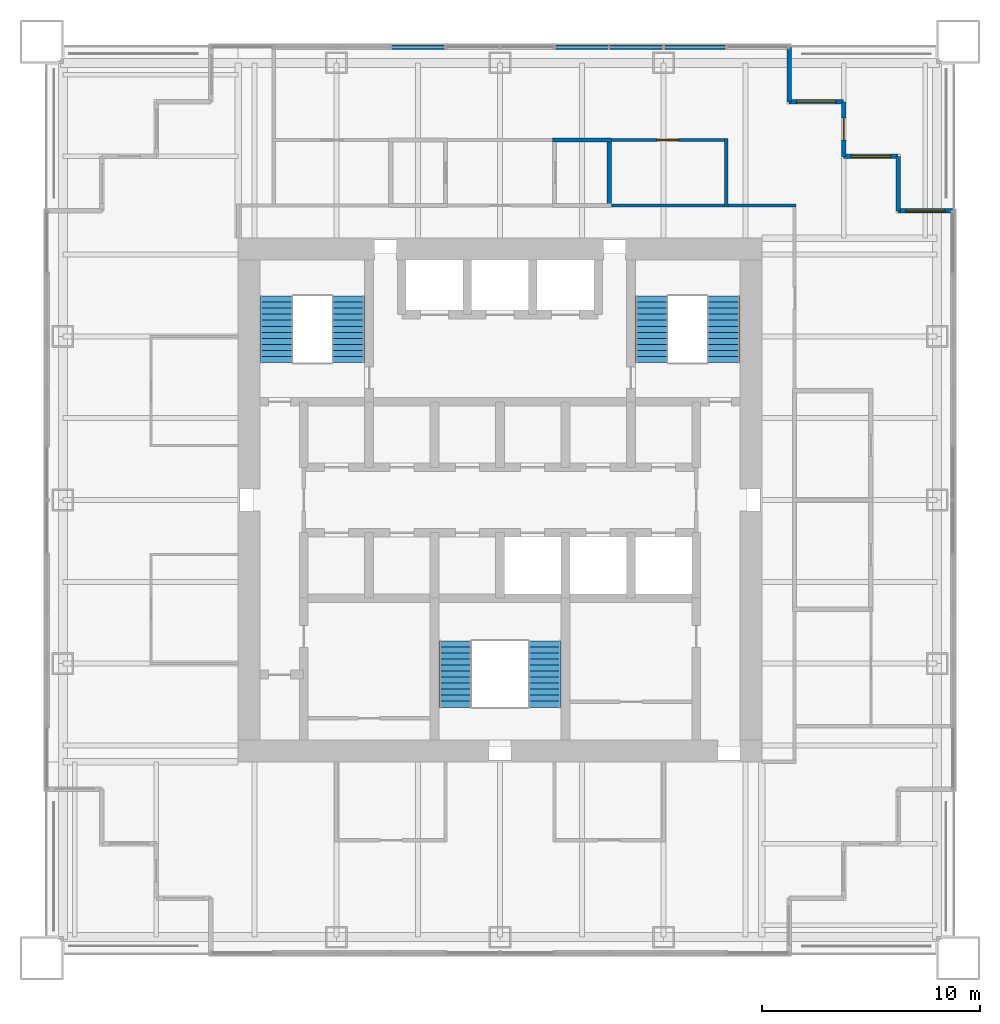
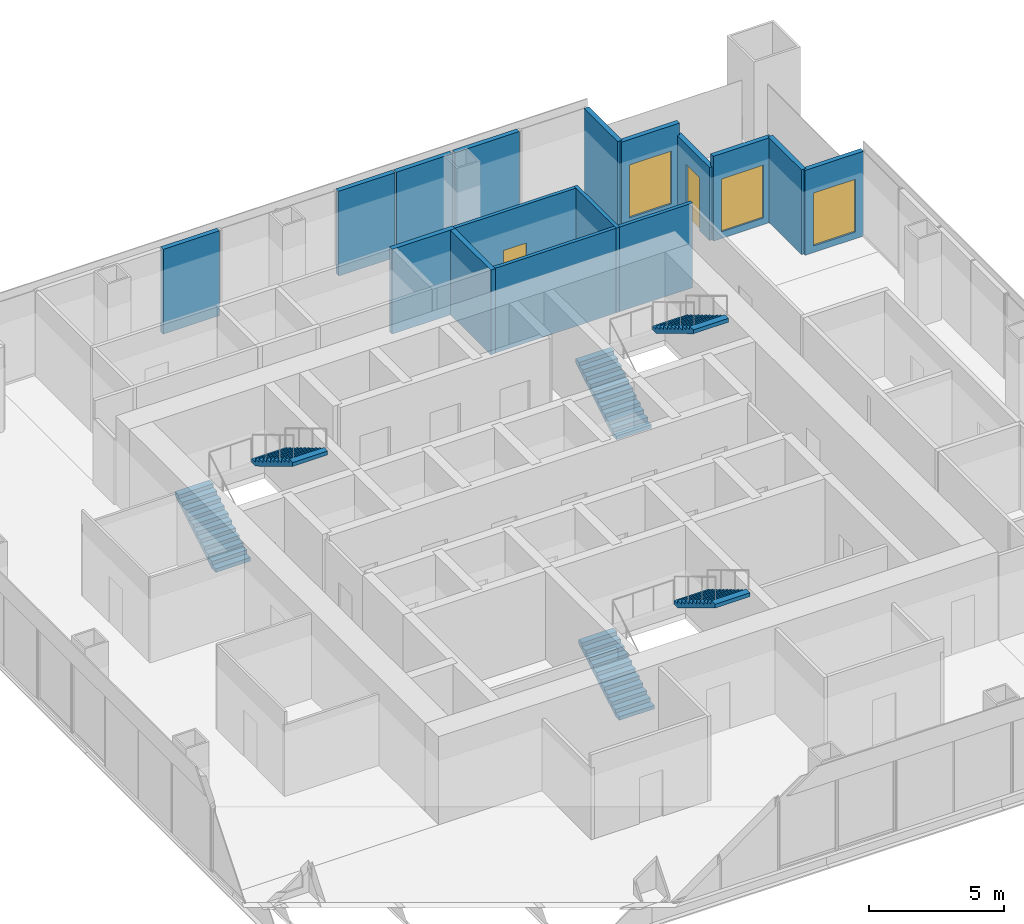
# One storey, part 12 of 14: 15 walls, 6 stair flights, 3 windows, 2 doors, 5 openings, 3 elements without a shape of their own.
"""IFC4 building model written with IfcOpenShell, lengths in metres."""

from ifc_helpers import new_model, si_unit, direction, frame, frame_2d, origin, place, context, subcontext, project, spatial, polyline, rectangle, outline, extrude, material, layer, layer_set, type_object, element, fill, aggregate, save


model = new_model("IFC4")

# Units and contexts
model_context = context("Model", 3, precision=1e-05, world=origin(), true_north=direction((0.0, 1.0)))
body_context = subcontext(model_context, "Body", "Model", "MODEL_VIEW")
ifc_project = project(units=[si_unit("LENGTHUNIT", "METRE"), si_unit("AREAUNIT", "SQUARE_METRE"), si_unit("VOLUMEUNIT", "CUBIC_METRE"), si_unit("PLANEANGLEUNIT", "RADIAN"), si_unit("MASSUNIT", "GRAM", prefix="KILO")], contexts=[model_context])

# Site, building, storey
site_placement = place(None, origin())
site = spatial("IfcSite", under=ifc_project, at=site_placement, CompositionType="ELEMENT")
building_placement = place(site_placement, origin())
building = spatial("IfcBuilding", under=site, at=building_placement, Name="Tarangal Relay Tower", CompositionType="ELEMENT")
storey_placement = place(building_placement, frame((0.0, 0.0, 319.89990234375)))
storey = spatial("IfcBuildingStorey", under=building, at=storey_placement, Name="L71", CompositionType="ELEMENT", Elevation=319.89990234375)

# Walls
ifc_material_1 = material(Name="Two layers gypsum board each side on twin steel studs, mineral wool", Category="steel")
ifc_layer_1 = layer(ifc_material_1, 0.199951171875)
ifc_layer_set_1 = layer_set([ifc_layer_1], Name="Acoustic partition 200")
wall_type_1 = type_object("IfcWallType", Name="Acoustic partition 200", PredefinedType="PARTITIONING", material=ifc_layer_set_1)
wall_1_placement = place(storey_placement, frame((2.39990234375, 16.5, 0.0), z_axis=(0.0, 0.0, 1.0), x_axis=(1.0, 0.0, 0.0)))
element("IfcWall", 1, at=wall_1_placement, inside=storey, type_object=wall_type_1, Name="Partition PT2 L71", PredefinedType="PARTITIONING", context=body_context, shape_type="SweptSolid", body=[
    extrude(rectangle(XDim=2.7001953125, YDim=0.199951171875, at=frame_2d((1.35009765625, 0.0))), origin(), (0.0, 0.0, 1.0), 3.85009765625),
])
wall_2_placement = place(storey_placement, frame((5.0, 13.39990234375, 0.0), z_axis=(0.0, 0.0, 1.0), x_axis=(0.0, 1.0, 0.0)))
element("IfcWall", 2, at=wall_2_placement, inside=storey, type_object=wall_type_1, Name="Partition PT2 L71", PredefinedType="PARTITIONING", context=body_context, shape_type="SweptSolid", body=[
    extrude(rectangle(XDim=3.2001953125, YDim=0.199951171875, at=frame_2d((1.60009765625, 0.0))), origin(), (0.0, 0.0, 1.0), 3.85009765625),
])
ifc_material_2 = material(Name="Black metal clad insulated wall", Category="steel")
ifc_layer_2 = layer(ifc_material_2, 0.199951171875)
ifc_layer_set_2 = layer_set([ifc_layer_2], Name="Corner wall metal clad 200")
wall_type_2 = type_object("IfcWallType", Name="Corner wall metal clad 200", PredefinedType="SOLIDWALL", material=ifc_layer_set_2)
wall_3_placement = place(storey_placement, frame((13.25, 20.75, 0.0), z_axis=(0.0, 0.0, 1.0), x_axis=(0.0, -1.0, 0.0)))
element("IfcWall", 3, at=wall_3_placement, inside=storey, type_object=wall_type_2, Name="Facade wall N facade L71", PredefinedType="SOLIDWALL", context=body_context, shape_type="SweptSolid", body=[
    extrude(rectangle(XDim=2.5, YDim=0.199951171875, at=frame_2d((1.25, 0.0))), origin(), (0.0, 0.0, 1.0), 3.85009765625),
])

# Wall, opening, window
wall_4_placement = place(storey_placement, frame((13.25, 18.25, 0.0), z_axis=(0.0, 0.0, 1.0), x_axis=(1.0, 0.0, 0.0)))
wall_4 = element("IfcWall", 4, at=wall_4_placement, inside=storey, type_object=wall_type_2, Name="Facade wall N facade L71", PredefinedType="SOLIDWALL", context=body_context, shape_type="SweptSolid", body=[
    extrude(rectangle(XDim=2.5, YDim=0.199951171875, at=frame_2d((1.25, 0.0))), origin(), (0.0, 0.0, 1.0), 3.85009765625),
])
opening_1_placement = place(wall_4_placement, frame((0.35009765625, 0.0, 0.300048828125)))
opening_1 = element("IfcOpeningElement", 5, at=opening_1_placement, cuts=wall_4, Name="Opening WN2", PredefinedType="OPENING", context=body_context, shape_type="SweptSolid", body=[
    extrude(rectangle(XDim=1.800048828125, YDim=2.39990234375, at=frame_2d((0.89990234375, 1.199951171875))), frame((0.0, 0.10986328125, 0.0), z_axis=(0.0, -1.0, 0.0), x_axis=(1.0, 0.0, 0.0)), (0.0, 0.0, 1.0), 0.219970703125),
])
ifc_material_3 = material(Name="Dark tinted double glazing in black aluminium frame", Category="aluminium")
window_type = type_object("IfcWindowType", Name="Corner window 1800 x 2400", PartitioningType="SINGLE_PANEL", PredefinedType="WINDOW", material=ifc_material_3)
window_1_placement = place(opening_1_placement, origin())
window_1 = element("IfcWindow", 6, at=window_1_placement, inside=storey, type_object=window_type, Name="Corner window WN2 N facade L71", OverallHeight=2.39990234375, OverallWidth=1.800048828125, PartitioningType="SINGLE_PANEL", PredefinedType="WINDOW", context=body_context, shape_type="SweptSolid", body=[
    extrude(rectangle(XDim=1.800048828125, YDim=2.39990234375, at=frame_2d((0.89990234375, 1.199951171875))), frame((0.0, 0.030029296875, 0.0), z_axis=(0.0, -1.0, 0.0), x_axis=(1.0, 0.0, 0.0)), (0.0, 0.0, 1.0), 0.06005859375),
])
fill(opening_1, window_1)

# Wall, opening, door
wall_5_placement = place(storey_placement, frame((15.75, 18.25, 0.0), z_axis=(0.0, 0.0, 1.0), x_axis=(0.0, -1.0, 0.0)))
wall_5 = element("IfcWall", 7, at=wall_5_placement, inside=storey, type_object=wall_type_2, Name="Facade wall N facade L71", PredefinedType="SOLIDWALL", context=body_context, shape_type="SweptSolid", body=[
    extrude(rectangle(XDim=2.5, YDim=0.199951171875, at=frame_2d((1.25, 0.0))), origin(), (0.0, 0.0, 1.0), 3.316650390625),
])
opening_2_placement = place(wall_5_placement, frame((0.75, 0.0, 0.0)))
opening_2 = element("IfcOpeningElement", 8, at=opening_2_placement, cuts=wall_5, Name="Opening TD1", PredefinedType="OPENING", context=body_context, shape_type="SweptSolid", body=[
    extrude(rectangle(XDim=1.0, YDim=2.39990234375, at=frame_2d((0.5, 1.199951171875))), frame((0.0, 0.10986328125, 0.0), z_axis=(0.0, -1.0, 0.0), x_axis=(1.0, 0.0, 0.0)), (0.0, 0.0, 1.0), 0.219970703125),
])
ifc_material_4 = material(Name="Aluminium glazed door", Category="aluminium")
door_type_1 = type_object("IfcDoorType", Name="Terrace door 1000 x 2400", OperationType="SINGLE_SWING_RIGHT", PredefinedType="DOOR", material=ifc_material_4)
door_1_placement = place(opening_2_placement, origin())
door_1 = element("IfcDoor", 9, at=door_1_placement, inside=storey, type_object=door_type_1, Name="Terrace door TD1 NE L71", OperationType="SINGLE_SWING_RIGHT", OverallHeight=2.39990234375, OverallWidth=1.0, PredefinedType="DOOR", context=body_context, shape_type="SweptSolid", body=[
    extrude(rectangle(XDim=1.0, YDim=2.39990234375, at=frame_2d((0.5, 1.199951171875))), frame((0.0, 0.02490234375, 0.0), z_axis=(0.0, -1.0, 0.0), x_axis=(1.0, 0.0, 0.0)), (0.0, 0.0, 1.0), 0.050048828125),
])
fill(opening_2, door_1)

# Wall, opening, window
wall_6_placement = place(storey_placement, frame((15.75, 15.75, 0.0), z_axis=(0.0, 0.0, 1.0), x_axis=(1.0, 0.0, 0.0)))
wall_6 = element("IfcWall", 10, at=wall_6_placement, inside=storey, type_object=wall_type_2, Name="Facade wall N facade L71", PredefinedType="SOLIDWALL", context=body_context, shape_type="SweptSolid", body=[
    extrude(rectangle(XDim=2.5, YDim=0.199951171875, at=frame_2d((1.25, 0.0))), origin(), (0.0, 0.0, 1.0), 3.85009765625),
])
opening_3_placement = place(wall_6_placement, frame((0.35009765625, 0.0, 0.300048828125)))
opening_3 = element("IfcOpeningElement", 11, at=opening_3_placement, cuts=wall_6, Name="Opening WN2", PredefinedType="OPENING", context=body_context, shape_type="SweptSolid", body=[
    extrude(rectangle(XDim=1.800048828125, YDim=2.39990234375, at=frame_2d((0.89990234375, 1.199951171875))), frame((0.0, 0.10986328125, 0.0), z_axis=(0.0, -1.0, 0.0), x_axis=(1.0, 0.0, 0.0)), (0.0, 0.0, 1.0), 0.219970703125),
])
window_2_placement = place(opening_3_placement, origin())
window_2 = element("IfcWindow", 12, at=window_2_placement, inside=storey, type_object=window_type, Name="Corner window WN2 N facade L71", OverallHeight=2.39990234375, OverallWidth=1.800048828125, PartitioningType="SINGLE_PANEL", PredefinedType="WINDOW", context=body_context, shape_type="SweptSolid", body=[
    extrude(rectangle(XDim=1.800048828125, YDim=2.39990234375, at=frame_2d((0.89990234375, 1.199951171875))), frame((0.0, 0.030029296875, 0.0), z_axis=(0.0, -1.0, 0.0), x_axis=(1.0, 0.0, 0.0)), (0.0, 0.0, 1.0), 0.06005859375),
])
fill(opening_3, window_2)

# Wall
wall_7_placement = place(storey_placement, frame((18.25, 15.75, 0.0), z_axis=(0.0, 0.0, 1.0), x_axis=(0.0, -1.0, 0.0)))
element("IfcWall", 13, at=wall_7_placement, inside=storey, type_object=wall_type_2, Name="Facade wall N facade L71", PredefinedType="SOLIDWALL", context=body_context, shape_type="SweptSolid", body=[
    extrude(rectangle(XDim=2.5, YDim=0.199951171875, at=frame_2d((1.25, 0.0))), origin(), (0.0, 0.0, 1.0), 3.85009765625),
])

# Wall, opening, window
wall_8_placement = place(storey_placement, frame((18.25, 13.25, 0.0), z_axis=(0.0, 0.0, 1.0), x_axis=(1.0, 0.0, 0.0)))
wall_8 = element("IfcWall", 14, at=wall_8_placement, inside=storey, type_object=wall_type_2, Name="Facade wall N facade L71", PredefinedType="SOLIDWALL", context=body_context, shape_type="SweptSolid", body=[
    extrude(rectangle(XDim=2.5, YDim=0.199951171875, at=frame_2d((1.25, 0.0))), origin(), (0.0, 0.0, 1.0), 3.85009765625),
])
opening_4_placement = place(wall_8_placement, frame((0.35009765625, 0.0, 0.300048828125)))
opening_4 = element("IfcOpeningElement", 15, at=opening_4_placement, cuts=wall_8, Name="Opening WN2", PredefinedType="OPENING", context=body_context, shape_type="SweptSolid", body=[
    extrude(rectangle(XDim=1.800048828125, YDim=2.39990234375, at=frame_2d((0.89990234375, 1.199951171875))), frame((0.0, 0.10986328125, 0.0), z_axis=(0.0, -1.0, 0.0), x_axis=(1.0, 0.0, 0.0)), (0.0, 0.0, 1.0), 0.219970703125),
])
window_3_placement = place(opening_4_placement, origin())
window_3 = element("IfcWindow", 16, at=window_3_placement, inside=storey, type_object=window_type, Name="Corner window WN2 N facade L71", OverallHeight=2.39990234375, OverallWidth=1.800048828125, PartitioningType="SINGLE_PANEL", PredefinedType="WINDOW", context=body_context, shape_type="SweptSolid", body=[
    extrude(rectangle(XDim=1.800048828125, YDim=2.39990234375, at=frame_2d((0.89990234375, 1.199951171875))), frame((0.0, 0.030029296875, 0.0), z_axis=(0.0, -1.0, 0.0), x_axis=(1.0, 0.0, 0.0)), (0.0, 0.0, 1.0), 0.06005859375),
])
fill(opening_4, window_3)

# Walls
ifc_layer_3 = layer(ifc_material_2, 0.199951171875)
ifc_layer_set_3 = layer_set([ifc_layer_3], Name="Facade infill wall metal clad 200")
wall_type_3 = type_object("IfcWallType", Name="Facade infill wall metal clad 200", PredefinedType="SOLIDWALL", material=ifc_layer_set_3)
for number, where, z_axis, x_axis, name in (
    (17, (-4.969970703125, 20.75, 0.0), (0.0, 0.0, 1.0), (1.0, 0.0, 0.0), "Facade infill wall N facade L71 2.1"),
    (18, (2.56005859375, 20.75, 0.0), (0.0, 0.0, 1.0), (1.0, 0.0, 0.0), "Facade infill wall N facade L71 1.1"),
    (19, (5.030029296875, 20.75, 0.0), (0.0, 0.0, 1.0), (1.0, 0.0, 0.0), "Facade infill wall N facade L71 2.1"),
):
    element("IfcWall", number, at=place(storey_placement, frame(where, z_axis=z_axis, x_axis=x_axis)), inside=storey, type_object=wall_type_3, Name=name, PredefinedType="SOLIDWALL", context=body_context, shape_type="SweptSolid", body=[
        extrude(rectangle(XDim=2.409912109375, YDim=0.199951171875, at=frame_2d((1.205078125, 0.0))), origin(), (0.0, 0.0, 1.0), 3.85009765625),
    ])
wall_9_placement = place(storey_placement, frame((7.56005859375, 20.75, 0.0), z_axis=(0.0, 0.0, 1.0), x_axis=(1.0, 0.0, 0.0)))
element("IfcWall", 20, at=wall_9_placement, inside=storey, type_object=wall_type_3, Name="Facade infill wall N facade L71 1.1", PredefinedType="SOLIDWALL", context=body_context, shape_type="SweptSolid", body=[
    extrude(rectangle(XDim=2.7548828125, YDim=0.199951171875, at=frame_2d((1.37744140625, 0.0))), origin(), (0.0, 0.0, 1.0), 3.85009765625),
])
ifc_material_5 = material(Name="Gypsum board on steel studs", Category="steel")
ifc_layer_4 = layer(ifc_material_5, 0.14990234375)
ifc_layer_set_4 = layer_set([ifc_layer_4], Name="Partition 150")
wall_type_4 = type_object("IfcWallType", Name="Partition 150", PredefinedType="PARTITIONING", material=ifc_layer_set_4)
wall_10_placement = place(storey_placement, frame((4.925048828125, 13.5, 0.0), z_axis=(0.0, 0.0, 1.0), x_axis=(1.0, 0.0, 0.0)))
element("IfcWall", 21, at=wall_10_placement, inside=storey, type_object=wall_type_4, Name="Partition PT1 L71", PredefinedType="PARTITIONING", context=body_context, shape_type="SweptSolid", body=[
    extrude(rectangle(XDim=8.64990234375, YDim=0.14990234375, at=frame_2d((4.324951171875, 0.0))), origin(), (0.0, 0.0, 1.0), 3.85009765625),
])

# Wall, opening, door
wall_11_placement = place(storey_placement, frame((4.925048828125, 16.5, 0.0), z_axis=(0.0, 0.0, 1.0), x_axis=(1.0, 0.0, 0.0)))
wall_11 = element("IfcWall", 22, at=wall_11_placement, inside=storey, type_object=wall_type_4, Name="Partition PT1 L71", PredefinedType="PARTITIONING", context=body_context, shape_type="SweptSolid", body=[
    extrude(rectangle(XDim=5.52490234375, YDim=0.14990234375, at=frame_2d((2.762451171875, 0.0))), origin(), (0.0, 0.0, 1.0), 3.85009765625),
])
opening_5_placement = place(wall_11_placement, frame((2.262451171875, 0.0, 0.0)))
opening_5 = element("IfcOpeningElement", 23, at=opening_5_placement, cuts=wall_11, Name="Opening D2", PredefinedType="OPENING", context=body_context, shape_type="SweptSolid", body=[
    extrude(rectangle(XDim=1.0, YDim=2.10009765625, at=frame_2d((0.5, 1.050048828125))), frame((0.0, 0.0849609375, 0.0), z_axis=(0.0, -1.0, 0.0), x_axis=(1.0, 0.0, 0.0)), (0.0, 0.0, 1.0), 0.169921875),
])
ifc_material_6 = material(Name="Hardwood door", Category="wood")
door_type_2 = type_object("IfcDoorType", Name="Door 1000 x 2100", OperationType="SINGLE_SWING_LEFT", PredefinedType="DOOR", material=ifc_material_6)
door_2_placement = place(opening_5_placement, origin())
door_2 = element("IfcDoor", 24, at=door_2_placement, inside=storey, type_object=door_type_2, Name="Door D2 to executive office L71-06", OperationType="SINGLE_SWING_LEFT", OverallHeight=2.10009765625, OverallWidth=1.0, PredefinedType="DOOR", context=body_context, shape_type="SweptSolid", body=[
    extrude(rectangle(XDim=1.0, YDim=2.10009765625, at=frame_2d((0.5, 1.050048828125))), frame((0.0, 0.02490234375, 0.0), z_axis=(0.0, -1.0, 0.0), x_axis=(1.0, 0.0, 0.0)), (0.0, 0.0, 1.0), 0.050048828125),
])
fill(opening_5, door_2)

# Wall
wall_12_placement = place(storey_placement, frame((10.375, 13.425048828125, 0.0), z_axis=(0.0, 0.0, 1.0), x_axis=(0.0, 1.0, 0.0)))
element("IfcWall", 25, at=wall_12_placement, inside=storey, type_object=wall_type_4, Name="Partition PT1 L71", PredefinedType="PARTITIONING", context=body_context, shape_type="SweptSolid", body=[
    extrude(rectangle(XDim=3.14990234375, YDim=0.14990234375, at=frame_2d((1.574951171875, 0.0))), origin(), (0.0, 0.0, 1.0), 3.85009765625),
])

# Stair, stair flights
ifc_material_7 = material(Name="Steel ASTM A992 stair flight", Category="steel")
stair_type = type_object("IfcStairType", Name="Core stair 1500", PredefinedType="HALF_TURN_STAIR", material=ifc_material_7)
stair_1_placement = place(storey_placement, origin())
stair_1 = element("IfcStair", 26, at=stair_1_placement, inside=storey, type_object=stair_type, Name="Stair ST-A L71", PredefinedType="HALF_TURN_STAIR")
stair_flight_type = type_object("IfcStairFlightType", Name="Steel stair flight 1500, 12 risers 167 x 277", PredefinedType="STRAIGHT", material=ifc_material_7)
stair_flight_1_placement = place(storey_placement, frame((-10.25, 6.300048828125, 0.0), z_axis=(0.0, 0.0, 1.0), x_axis=(0.0, 1.0, 0.0)))
stair_flight_1 = element("IfcStairFlight", 27, at=stair_flight_1_placement, type_object=stair_flight_type, Name="ST-A flight 1", NumberOfRisers=12, NumberOfTreads=11, PredefinedType="STRAIGHT", RiserHeight=0.166666667, TreadLength=0.277, context=body_context, shape_type="SweptSolid", body=[
    extrude(outline(polyline([(0.0, 0.0), (0.0, 0.166748046875), (0.277099609375, 0.166748046875), (0.277099609375, 0.333251953125), (0.553955078125, 0.333251953125), (0.553955078125, 0.5), (0.8310546875, 0.5), (0.8310546875, 0.666748046875), (1.10791015625, 0.666748046875), (1.10791015625, 0.833251953125), (1.385009765625, 0.833251953125), (1.385009765625, 1.0), (1.662109375, 1.0), (1.662109375, 1.166748046875), (1.93896484375, 1.166748046875), (1.93896484375, 1.333251953125), (2.216064453125, 1.333251953125), (2.216064453125, 1.5), (2.492919921875, 1.5), (2.492919921875, 1.666748046875), (2.77001953125, 1.666748046875), (2.77001953125, 1.833251953125), (3.047119140625, 1.833251953125), (3.047119140625, 2.0), (3.047119140625, 1.658447265625), (0.290771484375, 0.0), (0.0, 0.0)])), frame((0.0, 0.75, 0.0), z_axis=(0.0, -1.0, 0.0), x_axis=(1.0, 0.0, 0.0)), (0.0, 0.0, 1.0), 1.5),
])
stair_flight_2_placement = place(storey_placement, frame((-6.949951171875, 9.346923828125, 2.0), z_axis=(0.0, 0.0, 1.0), x_axis=(0.0, -1.0, 0.0)))
stair_flight_2 = element("IfcStairFlight", 28, at=stair_flight_2_placement, type_object=stair_flight_type, Name="ST-A flight 2", NumberOfRisers=12, NumberOfTreads=11, PredefinedType="STRAIGHT", RiserHeight=0.166666667, TreadLength=0.277, context=body_context, shape_type="SweptSolid", body=[
    extrude(outline(polyline([(0.0, 0.0), (0.0, 0.166748046875), (0.277099609375, 0.166748046875), (0.277099609375, 0.333251953125), (0.553955078125, 0.333251953125), (0.553955078125, 0.5), (0.8310546875, 0.5), (0.8310546875, 0.666748046875), (1.10791015625, 0.666748046875), (1.10791015625, 0.833251953125), (1.385009765625, 0.833251953125), (1.385009765625, 1.0), (1.662109375, 1.0), (1.662109375, 1.166748046875), (1.93896484375, 1.166748046875), (1.93896484375, 1.333251953125), (2.216064453125, 1.333251953125), (2.216064453125, 1.5), (2.492919921875, 1.5), (2.492919921875, 1.666748046875), (2.77001953125, 1.666748046875), (2.77001953125, 1.833251953125), (3.047119140625, 1.833251953125), (3.047119140625, 2.0), (3.047119140625, 1.658447265625), (0.290771484375, 0.0), (0.0, 0.0)])), frame((0.0, 0.75, 0.0), z_axis=(0.0, -1.0, 0.0), x_axis=(1.0, 0.0, 0.0)), (0.0, 0.0, 1.0), 1.5),
])
aggregate(stair_1, [stair_flight_1, stair_flight_2])

stair_2_placement = place(storey_placement, origin())
stair_2 = element("IfcStair", 29, at=stair_2_placement, inside=storey, type_object=stair_type, Name="Stair ST-B L71", PredefinedType="HALF_TURN_STAIR")
stair_flight_3_placement = place(storey_placement, frame((6.949951171875, 6.300048828125, 0.0), z_axis=(0.0, 0.0, 1.0), x_axis=(0.0, 1.0, 0.0)))
stair_flight_3 = element("IfcStairFlight", 30, at=stair_flight_3_placement, type_object=stair_flight_type, Name="ST-B flight 1", NumberOfRisers=12, NumberOfTreads=11, PredefinedType="STRAIGHT", RiserHeight=0.166666667, TreadLength=0.277, context=body_context, shape_type="SweptSolid", body=[
    extrude(outline(polyline([(0.0, 0.0), (0.0, 0.166748046875), (0.277099609375, 0.166748046875), (0.277099609375, 0.333251953125), (0.553955078125, 0.333251953125), (0.553955078125, 0.5), (0.8310546875, 0.5), (0.8310546875, 0.666748046875), (1.10791015625, 0.666748046875), (1.10791015625, 0.833251953125), (1.385009765625, 0.833251953125), (1.385009765625, 1.0), (1.662109375, 1.0), (1.662109375, 1.166748046875), (1.93896484375, 1.166748046875), (1.93896484375, 1.333251953125), (2.216064453125, 1.333251953125), (2.216064453125, 1.5), (2.492919921875, 1.5), (2.492919921875, 1.666748046875), (2.77001953125, 1.666748046875), (2.77001953125, 1.833251953125), (3.047119140625, 1.833251953125), (3.047119140625, 2.0), (3.047119140625, 1.658447265625), (0.290771484375, 0.0), (0.0, 0.0)])), frame((0.0, 0.75, 0.0), z_axis=(0.0, -1.0, 0.0), x_axis=(1.0, 0.0, 0.0)), (0.0, 0.0, 1.0), 1.5),
])
stair_flight_4_placement = place(storey_placement, frame((10.25, 9.346923828125, 2.0), z_axis=(0.0, 0.0, 1.0), x_axis=(0.0, -1.0, 0.0)))
stair_flight_4 = element("IfcStairFlight", 31, at=stair_flight_4_placement, type_object=stair_flight_type, Name="ST-B flight 2", NumberOfRisers=12, NumberOfTreads=11, PredefinedType="STRAIGHT", RiserHeight=0.166666667, TreadLength=0.277, context=body_context, shape_type="SweptSolid", body=[
    extrude(outline(polyline([(0.0, 0.0), (0.0, 0.166748046875), (0.277099609375, 0.166748046875), (0.277099609375, 0.333251953125), (0.553955078125, 0.333251953125), (0.553955078125, 0.5), (0.8310546875, 0.5), (0.8310546875, 0.666748046875), (1.10791015625, 0.666748046875), (1.10791015625, 0.833251953125), (1.385009765625, 0.833251953125), (1.385009765625, 1.0), (1.662109375, 1.0), (1.662109375, 1.166748046875), (1.93896484375, 1.166748046875), (1.93896484375, 1.333251953125), (2.216064453125, 1.333251953125), (2.216064453125, 1.5), (2.492919921875, 1.5), (2.492919921875, 1.666748046875), (2.77001953125, 1.666748046875), (2.77001953125, 1.833251953125), (3.047119140625, 1.833251953125), (3.047119140625, 2.0), (3.047119140625, 1.658447265625), (0.290771484375, 0.0), (0.0, 0.0)])), frame((0.0, 0.75, 0.0), z_axis=(0.0, -1.0, 0.0), x_axis=(1.0, 0.0, 0.0)), (0.0, 0.0, 1.0), 1.5),
])
aggregate(stair_2, [stair_flight_3, stair_flight_4])

stair_3_placement = place(storey_placement, origin())
stair_3 = element("IfcStair", 32, at=stair_3_placement, inside=storey, type_object=stair_type, Name="Stair ST-C L71", PredefinedType="HALF_TURN_STAIR")
stair_flight_5_placement = place(storey_placement, frame((-2.050048828125, -9.5, 0.0), z_axis=(0.0, 0.0, 1.0), x_axis=(0.0, 1.0, 0.0)))
stair_flight_5 = element("IfcStairFlight", 33, at=stair_flight_5_placement, type_object=stair_flight_type, Name="ST-C flight 1", NumberOfRisers=12, NumberOfTreads=11, PredefinedType="STRAIGHT", RiserHeight=0.166666667, TreadLength=0.277, context=body_context, shape_type="SweptSolid", body=[
    extrude(outline(polyline([(0.0, 0.0), (0.0, 0.166748046875), (0.277099609375, 0.166748046875), (0.277099609375, 0.333251953125), (0.553955078125, 0.333251953125), (0.553955078125, 0.5), (0.8310546875, 0.5), (0.8310546875, 0.666748046875), (1.10791015625, 0.666748046875), (1.10791015625, 0.833251953125), (1.385009765625, 0.833251953125), (1.385009765625, 1.0), (1.662109375, 1.0), (1.662109375, 1.166748046875), (1.93896484375, 1.166748046875), (1.93896484375, 1.333251953125), (2.216064453125, 1.333251953125), (2.216064453125, 1.5), (2.492919921875, 1.5), (2.492919921875, 1.666748046875), (2.77001953125, 1.666748046875), (2.77001953125, 1.833251953125), (3.047119140625, 1.833251953125), (3.047119140625, 2.0), (3.047119140625, 1.658447265625), (0.290771484375, 0.0), (0.0, 0.0)])), frame((0.0, 0.75, 0.0), z_axis=(0.0, -1.0, 0.0), x_axis=(1.0, 0.0, 0.0)), (0.0, 0.0, 1.0), 1.5),
])
stair_flight_6_placement = place(storey_placement, frame((2.050048828125, -6.452880859375, 2.0), z_axis=(0.0, 0.0, 1.0), x_axis=(0.0, -1.0, 0.0)))
stair_flight_6 = element("IfcStairFlight", 34, at=stair_flight_6_placement, type_object=stair_flight_type, Name="ST-C flight 2", NumberOfRisers=12, NumberOfTreads=11, PredefinedType="STRAIGHT", RiserHeight=0.166666667, TreadLength=0.277, context=body_context, shape_type="SweptSolid", body=[
    extrude(outline(polyline([(0.0, 0.0), (0.0, 0.166748046875), (0.277099609375, 0.166748046875), (0.277099609375, 0.333251953125), (0.553955078125, 0.333251953125), (0.553955078125, 0.5), (0.8310546875, 0.5), (0.8310546875, 0.666748046875), (1.10791015625, 0.666748046875), (1.10791015625, 0.833251953125), (1.385009765625, 0.833251953125), (1.385009765625, 1.0), (1.662109375, 1.0), (1.662109375, 1.166748046875), (1.93896484375, 1.166748046875), (1.93896484375, 1.333251953125), (2.216064453125, 1.333251953125), (2.216064453125, 1.5), (2.492919921875, 1.5), (2.492919921875, 1.666748046875), (2.77001953125, 1.666748046875), (2.77001953125, 1.833251953125), (3.047119140625, 1.833251953125), (3.047119140625, 2.0), (3.047119140625, 1.658447265625), (0.290771484375, 0.0), (0.0, 0.0)])), frame((0.0, 0.75, 0.0), z_axis=(0.0, -1.0, 0.0), x_axis=(1.0, 0.0, 0.0)), (0.0, 0.0, 1.0), 1.5),
])
aggregate(stair_3, [stair_flight_5, stair_flight_6])

save(model, "model.ifc")
